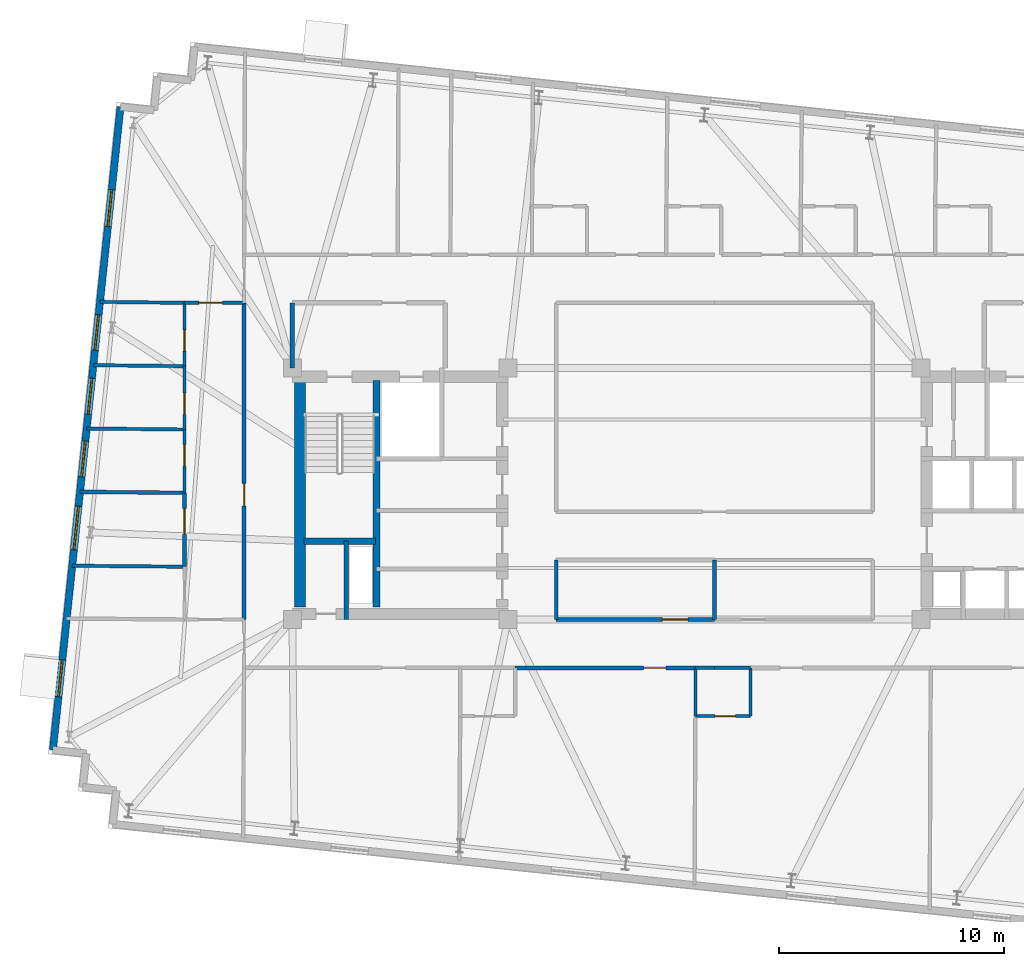
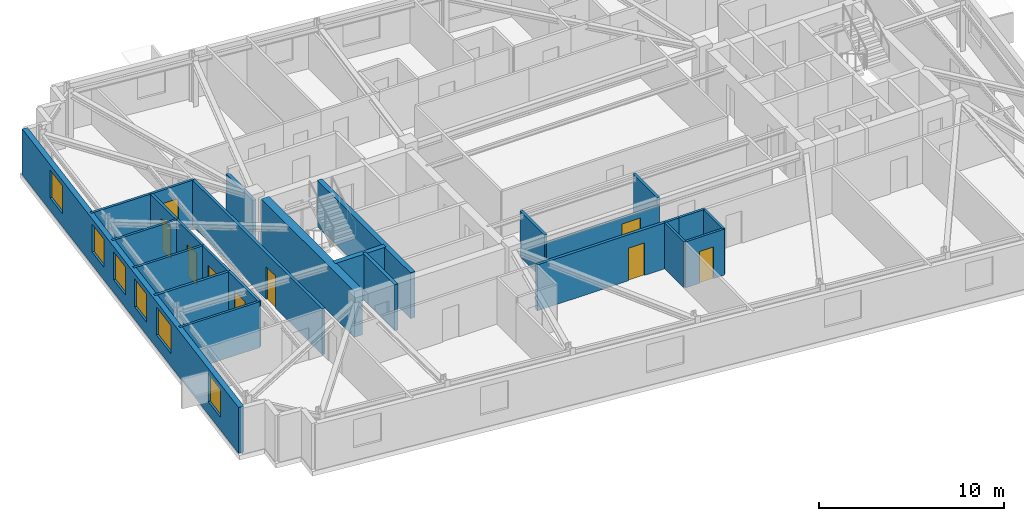
# One storey, part 6 of 12: 26 walls, 9 doors, 6 windows, 15 openings.
"""IFC4 building model written with IfcOpenShell, lengths in metres."""

import ifcopenshell
import ifcopenshell.guid

model = None  # the IFC model being written
_history = None  # IfcOwnerHistory: only IFC2X3 demands one
_inside = {}  # id of a spatial element -> (the spatial element, [elements in it])
_under = {}  # id of a project, library or spatial element -> (it, [spatial elements below it])
_declared = {}  # id of a project -> (the project, [libraries it declares])
_typed = {}  # id of a type object -> (the type object, [elements of that type])
_made_of = {}  # id of a material, layer set ... -> (it, [elements and type objects made of it])


def new_model(schema):
    """Start an empty IFC model of exactly this schema.

    Asked for "IFC4X3", IfcOpenShell would pick the latest addendum, in which some entities
    have other attributes; the version numbers below select the first issue.
    IFC2X3 requires an IfcOwnerHistory on every rooted entity: one is made here for all.
    """
    global model, _history
    if schema == "IFC4X3":
        model = ifcopenshell.file(schema_version=(4, 3, 0, 0))
    else:
        model = ifcopenshell.file(schema=schema)
    _inside.clear()
    _under.clear()
    _declared.clear()
    _typed.clear()
    _made_of.clear()
    _history = None
    if model.schema == "IFC2X3":
        org = make("IfcOrganization", Name="unknown")
        user = make(
            "IfcPersonAndOrganization",
            ThePerson=make("IfcPerson", FamilyName="unknown"),
            TheOrganization=org,
        )
        app = make(
            "IfcApplication",
            ApplicationDeveloper=org,
            Version="unknown",
            ApplicationFullName="unknown",
            ApplicationIdentifier="unknown",
        )
        _history = make(
            "IfcOwnerHistory",
            OwningUser=user,
            OwningApplication=app,
            ChangeAction="ADDED",
            CreationDate=0,
        )
    return model


def make(cls, **values):
    """One entity of the class cls with the attributes given. An attribute that is None is left unset."""
    return model.create_entity(
        cls, **{name: value for name, value in values.items() if value is not None}
    )


def rooted(cls, **values):
    """An entity with a GlobalId (a new one), such as an element, a storey or a relation."""
    return make(cls, GlobalId=ifcopenshell.guid.new(), OwnerHistory=_history, **values)


def si_unit(unit_type, name, prefix=None):
    """IfcSIUnit, for example si_unit("LENGTHUNIT", "METRE", prefix="MILLI")."""
    return make("IfcSIUnit", UnitType=unit_type, Prefix=prefix, Name=name)


def assignment(units):
    """IfcUnitAssignment: the units of a project."""
    return None if units is None else make("IfcUnitAssignment", Units=units)


def point(xyz):
    """IfcCartesianPoint."""
    return None if xyz is None else make("IfcCartesianPoint", Coordinates=xyz)


def direction(xyz):
    """IfcDirection."""
    return None if xyz is None else make("IfcDirection", DirectionRatios=xyz)


def frame(location, z_axis=None, x_axis=None):
    """IfcAxis2Placement3D, a coordinate frame: its origin and axes. An axis left out is left unset."""
    return make(
        "IfcAxis2Placement3D",
        Location=point(location),
        Axis=direction(z_axis),
        RefDirection=direction(x_axis),
    )


def frame_2d(location, x_axis=None):
    """IfcAxis2Placement2D, a coordinate frame in the plane: its origin and x axis."""
    return make(
        "IfcAxis2Placement2D", Location=point(location), RefDirection=direction(x_axis)
    )


def origin():
    """The frame at (0, 0, 0) with its axes left unset."""
    return frame((0.0, 0.0, 0.0))


def place(relative_to, where):
    """IfcLocalPlacement: puts the frame where relative to a parent placement (None: the world)."""
    return make(
        "IfcLocalPlacement", PlacementRelTo=relative_to, RelativePlacement=where
    )


def context(
    kind, dimensions, precision=None, world=None, true_north=None, identifier=None
):
    """IfcGeometricRepresentationContext, for example the 3D "Model" context."""
    return make(
        "IfcGeometricRepresentationContext",
        ContextIdentifier=identifier,
        ContextType=kind,
        CoordinateSpaceDimension=dimensions,
        Precision=precision,
        WorldCoordinateSystem=world,
        TrueNorth=true_north,
    )


def subcontext(parent, identifier, kind, view, scale=None):
    """IfcGeometricRepresentationSubContext, for example "Body" below "Model"."""
    return make(
        "IfcGeometricRepresentationSubContext",
        ContextIdentifier=identifier,
        ContextType=kind,
        ParentContext=parent,
        TargetScale=scale,
        TargetView=view,
    )


def project(units=None, contexts=None):
    """IfcProject with its units and contexts."""
    return rooted(
        "IfcProject",
        Name="project",
        RepresentationContexts=contexts,
        UnitsInContext=assignment(units),
    )


def spatial(cls, under=None, at=None, **own):
    """A site, building, storey or space (cls), placed at a placement, below another one or the project."""
    s = rooted(cls, ObjectPlacement=at, **own)
    if under is not None:
        _under.setdefault(under.id(), (under, []))[1].append(s)
    return s


def profile(cls, at=None, kind="AREA", **sizes):
    """A parametric profile (cls). Its sizes go by their IFC names, for example OverallWidth=200.0."""
    return make(cls, ProfileType=kind, Position=at, **sizes)


def rectangle(**sizes):
    """IfcRectangleProfileDef."""
    return profile("IfcRectangleProfileDef", **sizes)


def extrude(swept, where, along, depth):
    """IfcExtrudedAreaSolid: the profile swept, set in the frame where, extruded along a direction by depth."""
    return make(
        "IfcExtrudedAreaSolid",
        SweptArea=swept,
        Position=where,
        ExtrudedDirection=direction(along),
        Depth=depth,
    )


def shape(context_of_items, identifier, shape_type, items):
    """IfcShapeRepresentation: the items that make up one representation, for example the "Body"."""
    return make(
        "IfcShapeRepresentation",
        ContextOfItems=context_of_items,
        RepresentationIdentifier=identifier,
        RepresentationType=shape_type,
        Items=items,
    )


def material(Name=None, Category=None):
    """IfcMaterial."""
    return make("IfcMaterial", Name=Name, Category=Category)


def layer(
    of_material, thickness, ventilated=None, Name=None, Category=None, Priority=None
):
    """IfcMaterialLayer: one layer of a wall or slab, of a material (None: an air gap)."""
    return make(
        "IfcMaterialLayer",
        Material=of_material,
        LayerThickness=thickness,
        IsVentilated=ventilated,
        Name=Name,
        Category=Category,
        Priority=Priority,
    )


def layer_set(layers, Name=None):
    """IfcMaterialLayerSet."""
    return make("IfcMaterialLayerSet", MaterialLayers=layers, LayerSetName=Name)


def made_of(thing, what):
    """Note that an element or type object is made of a material, layer set ...; save() writes the relation."""
    if what is not None:
        _made_of.setdefault(what.id(), (what, []))[1].append(thing)
    return thing


def type_object(cls, material=None, **own):
    """A type object (cls), such as IfcWallType, which elements share."""
    return made_of(rooted(cls, **own), material)


def element(
    cls,
    number,
    at=None,
    inside=None,
    cuts=None,
    type_object=None,
    material=None,
    context=None,
    identifier="Body",
    shape_type=None,
    held_by="IfcProductDefinitionShape",
    body=None,
    shapes=None,
    **own,
):
    """One element of the class cls, such as IfcWall. Its Tag is "e" and its number.

    at: its placement. inside: the storey or other place that contains it. cuts: it is an
    opening in that element (IfcRelVoidsElement). A single representation is given by context,
    identifier, shape_type and body (its items); several are given by shapes. held_by: the class
    of the entity that holds the representations. save() writes the other relations.
    """
    e = rooted(cls, Tag="e%d" % number, ObjectPlacement=at, **own)
    if body is not None:
        shapes = [shape(context, identifier, shape_type, body)]
    if shapes is not None:
        e.Representation = make(held_by, Representations=shapes)
    if inside is not None:
        _inside.setdefault(inside.id(), (inside, []))[1].append(e)
    if cuts is not None:
        rooted(
            "IfcRelVoidsElement", RelatingBuildingElement=cuts, RelatedOpeningElement=e
        )
    if type_object is not None:
        _typed.setdefault(type_object.id(), (type_object, []))[1].append(e)
    return made_of(e, material)


def fill(opening, filler):
    """IfcRelFillsElement: the door or window that sits in an opening."""
    return rooted(
        "IfcRelFillsElement",
        RelatingOpeningElement=opening,
        RelatedBuildingElement=filler,
    )


def aggregate(whole, parts):
    """IfcRelAggregates: a whole, such as a stair, and the parts it consists of."""
    return rooted("IfcRelAggregates", RelatingObject=whole, RelatedObjects=parts)


def save(model, path):
    """Write the relations noted so far, then the file.

    IfcRelAggregates (storeys below a building ...), IfcRelContainedInSpatialStructure (elements
    in a storey), IfcRelDefinesByType, IfcRelAssociatesMaterial and IfcRelDeclares: one each for
    every whole, place, type object, material and project.
    """
    for whole, parts in _under.values():
        aggregate(whole, parts)
    for where, things in _inside.values():
        rooted(
            "IfcRelContainedInSpatialStructure",
            RelatedElements=things,
            RelatingStructure=where,
        )
    for kind, things in _typed.values():
        rooted("IfcRelDefinesByType", RelatedObjects=things, RelatingType=kind)
    for what, things in _made_of.values():
        rooted("IfcRelAssociatesMaterial", RelatedObjects=things, RelatingMaterial=what)
    for by, libraries in _declared.values():
        rooted("IfcRelDeclares", RelatingContext=by, RelatedDefinitions=libraries)
    model.write(path)


model = new_model("IFC4")

# Units and contexts
model_context = context("Model", 3, precision=1e-05, world=origin(), true_north=direction((0.0, 1.0)))
body_context = subcontext(model_context, "Body", "Model", "MODEL_VIEW")
ifc_project = project(units=[si_unit("LENGTHUNIT", "METRE"), si_unit("AREAUNIT", "SQUARE_METRE"), si_unit("VOLUMEUNIT", "CUBIC_METRE"), si_unit("PLANEANGLEUNIT", "RADIAN"), si_unit("MASSUNIT", "GRAM", prefix="KILO")], contexts=[model_context])

# Site, building, storey
site_placement = place(None, origin())
site = spatial("IfcSite", under=ifc_project, at=site_placement, CompositionType="ELEMENT")
building_placement = place(site_placement, origin())
building = spatial("IfcBuilding", under=site, at=building_placement, Name="Qobustan Lattice House", CompositionType="ELEMENT")
storey_placement = place(building_placement, frame((0.0, 0.0, 183.0)))
storey = spatial("IfcBuildingStorey", under=building, at=storey_placement, Name="L51", CompositionType="ELEMENT", Elevation=183.0)

# Walls
ifc_material_1 = material(Name="Concrete C50/60", Category="concrete")
ifc_layer_1 = layer(ifc_material_1, 0.5)
ifc_layer_set_1 = layer_set([ifc_layer_1], Name="Concrete C50/60")
wall_type_1 = type_object("IfcWallType", Name="WAL-CORE-500", PredefinedType="SHEAR", material=ifc_layer_set_1)
wall_1_placement = place(storey_placement, frame((-18.4599609375, -5.050048828125, 0.0), z_axis=(0.0, 0.0, 1.0), x_axis=(0.0, 1.0, 0.0)))
element("IfcWall", 1, at=wall_1_placement, inside=storey, type_object=wall_type_1, Name="L51 split-core shear wall CW-W", PredefinedType="SHEAR", context=body_context, shape_type="SweptSolid", body=[
    extrude(rectangle(XDim=10.10009765625, YDim=0.5, at=frame_2d((5.050048828125, 0.0))), origin(), (0.0, 0.0, 1.0), 3.0400390625),
])
ifc_material_2 = material(Name="Concrete C50/60", Category="concrete")
ifc_layer_2 = layer(ifc_material_2, 0.280029296875)
ifc_layer_set_2 = layer_set([ifc_layer_2], Name="Concrete C50/60")
wall_type_2 = type_object("IfcWallType", Name="WAL-CORE-SPINE-280", PredefinedType="SHEAR", material=ifc_layer_set_2)
wall_2_placement = place(storey_placement, frame((-15.050048828125, -5.050048828125, 0.0), z_axis=(0.0, 0.0, 1.0), x_axis=(0.0, 1.0, 0.0)))
element("IfcWall", 2, at=wall_2_placement, inside=storey, type_object=wall_type_2, Name="L51 split-core shear wall CW-M", PredefinedType="SHEAR", context=body_context, shape_type="SweptSolid", body=[
    extrude(rectangle(XDim=10.10009765625, YDim=0.300048828125, at=frame_2d((5.050048828125, 0.0))), origin(), (0.0, 0.0, 1.0), 3.0400390625),
])
wall_3_placement = place(storey_placement, frame((-18.280029296875, -2.110107421875, 0.0), z_axis=(0.0, 0.0, 1.0), x_axis=(1.0, 0.0, 0.0)))
element("IfcWall", 3, at=wall_3_placement, inside=storey, type_object=wall_type_2, Name="L51 split-core shear wall CW-ST", PredefinedType="SHEAR", context=body_context, shape_type="SweptSolid", body=[
    extrude(rectangle(XDim=3.179931640625, YDim=0.300048828125, at=frame_2d((1.58984375, 0.0))), origin(), (0.0, 0.0, 1.0), 3.0400390625),
])

# Wall, openings, windows
ifc_material_3 = material(Name="Precast concrete C40/50", Category="concrete")
ifc_layer_3 = layer(ifc_material_3, 0.320068359375)
ifc_layer_set_3 = layer_set([ifc_layer_3], Name="Precast concrete C40/50")
wall_type_3 = type_object("IfcWallType", Name="WAL-EXT-STONE-320", PredefinedType="SOLIDWALL", material=ifc_layer_set_3)
wall_4_placement = place(storey_placement, frame((-29.46337890625, -11.413818359375, 0.0), z_axis=(0.0, 0.0, 1.0), x_axis=(0.104530779244, 0.994521651947, 0.0)))
wall_4 = element("IfcWall", 4, at=wall_4_placement, inside=storey, type_object=wall_type_3, Name="L51 exterior limestone-clad wall 5", PredefinedType="SOLIDWALL", context=body_context, shape_type="SweptSolid", body=[
    extrude(rectangle(XDim=28.800048828125, YDim=0.320068359375, at=frame_2d((14.39990234375, 0.0))), origin(), (0.0, 0.0, 1.0), 3.0400390625),
])
opening_1_placement = place(wall_4_placement, frame((2.3837890625, 0.0, 0.85009765625)))
opening_1 = element("IfcOpeningElement", 5, at=opening_1_placement, cuts=wall_4, Name="Opening WN-09", PredefinedType="OPENING", context=body_context, shape_type="SweptSolid", body=[
    extrude(rectangle(XDim=1.64990234375, YDim=1.85009765625, at=frame_2d((0.824951171875, 0.925048828125))), frame((0.0, 0.169921875, 0.0), z_axis=(0.0, -1.0, 0.0), x_axis=(1.0, 0.0, 0.0)), (0.0, 0.0, 1.0), 0.340087890625),
])
opening_2_placement = place(wall_4_placement, frame((8.97265625, 0.0, 0.85009765625)))
opening_2 = element("IfcOpeningElement", 6, at=opening_2_placement, cuts=wall_4, Name="Opening WN-08", PredefinedType="OPENING", context=body_context, shape_type="SweptSolid", body=[
    extrude(rectangle(XDim=1.949951171875, YDim=1.85009765625, at=frame_2d((0.97509765625, 0.925048828125))), frame((0.0, 0.169921875, 0.0), z_axis=(0.0, -1.0, 0.0), x_axis=(1.0, 0.0, 0.0)), (0.0, 0.0, 1.0), 0.340087890625),
])
opening_3_placement = place(wall_4_placement, frame((12.236083984375, 0.0, 0.85009765625)))
opening_3 = element("IfcOpeningElement", 7, at=opening_3_placement, cuts=wall_4, Name="Opening WN-13", PredefinedType="OPENING", context=body_context, shape_type="SweptSolid", body=[
    extrude(rectangle(XDim=1.60009765625, YDim=1.85009765625, at=frame_2d((0.800048828125, 0.925048828125))), frame((0.0, 0.169921875, 0.0), z_axis=(0.0, -1.0, 0.0), x_axis=(1.0, 0.0, 0.0)), (0.0, 0.0, 1.0), 0.340087890625),
])
opening_4_placement = place(wall_4_placement, frame((15.0439453125, 0.0, 0.85009765625)))
opening_4 = element("IfcOpeningElement", 8, at=opening_4_placement, cuts=wall_4, Name="Opening WN-13", PredefinedType="OPENING", context=body_context, shape_type="SweptSolid", body=[
    extrude(rectangle(XDim=1.60009765625, YDim=1.85009765625, at=frame_2d((0.800048828125, 0.925048828125))), frame((0.0, 0.169921875, 0.0), z_axis=(0.0, -1.0, 0.0), x_axis=(1.0, 0.0, 0.0)), (0.0, 0.0, 1.0), 0.340087890625),
])
opening_5_placement = place(wall_4_placement, frame((17.891845703125, 0.0, 0.85009765625)))
opening_5 = element("IfcOpeningElement", 9, at=opening_5_placement, cuts=wall_4, Name="Opening WN-13", PredefinedType="OPENING", context=body_context, shape_type="SweptSolid", body=[
    extrude(rectangle(XDim=1.60009765625, YDim=1.85009765625, at=frame_2d((0.800048828125, 0.925048828125))), frame((0.0, 0.169921875, 0.0), z_axis=(0.0, -1.0, 0.0), x_axis=(1.0, 0.0, 0.0)), (0.0, 0.0, 1.0), 0.340087890625),
])
opening_6_placement = place(wall_4_placement, frame((23.4423828125, 0.0, 0.85009765625)))
opening_6 = element("IfcOpeningElement", 10, at=opening_6_placement, cuts=wall_4, Name="Opening WN-09", PredefinedType="OPENING", context=body_context, shape_type="SweptSolid", body=[
    extrude(rectangle(XDim=1.64990234375, YDim=1.85009765625, at=frame_2d((0.824951171875, 0.925048828125))), frame((0.0, 0.169921875, 0.0), z_axis=(0.0, -1.0, 0.0), x_axis=(1.0, 0.0, 0.0)), (0.0, 0.0, 1.0), 0.340087890625),
])
ifc_material_4 = material(Name="Double-glazed low-E aluminium window", Category="aluminium")
window_type_1 = type_object("IfcWindowType", Name="WIN-BED-1600x1850", PartitioningType="SINGLE_PANEL", PredefinedType="WINDOW", material=ifc_material_4)
window_1_placement = place(opening_3_placement, origin())
window_1 = element("IfcWindow", 11, at=window_1_placement, inside=storey, type_object=window_type_1, Name="L51 Cluster bedroom L51W1 window", OverallHeight=1.85009765625, OverallWidth=1.60009765625, PartitioningType="SINGLE_PANEL", PredefinedType="WINDOW", context=body_context, shape_type="SweptSolid", body=[
    extrude(rectangle(XDim=1.60009765625, YDim=1.85009765625, at=frame_2d((0.800048828125, 0.925048828125))), frame((0.0, 0.030029296875, 0.0), z_axis=(0.0, -1.0, 0.0), x_axis=(1.0, 0.0, 0.0)), (0.0, 0.0, 1.0), 0.06005859375),
])
fill(opening_3, window_1)
window_2_placement = place(opening_4_placement, origin())
window_2 = element("IfcWindow", 12, at=window_2_placement, inside=storey, type_object=window_type_1, Name="L51 Cluster bedroom L51W2 window", OverallHeight=1.85009765625, OverallWidth=1.60009765625, PartitioningType="SINGLE_PANEL", PredefinedType="WINDOW", context=body_context, shape_type="SweptSolid", body=[
    extrude(rectangle(XDim=1.60009765625, YDim=1.85009765625, at=frame_2d((0.800048828125, 0.925048828125))), frame((0.0, 0.030029296875, 0.0), z_axis=(0.0, -1.0, 0.0), x_axis=(1.0, 0.0, 0.0)), (0.0, 0.0, 1.0), 0.06005859375),
])
fill(opening_4, window_2)
window_3_placement = place(opening_5_placement, origin())
window_3 = element("IfcWindow", 13, at=window_3_placement, inside=storey, type_object=window_type_1, Name="L51 Cluster bedroom L51W3 window", OverallHeight=1.85009765625, OverallWidth=1.60009765625, PartitioningType="SINGLE_PANEL", PredefinedType="WINDOW", context=body_context, shape_type="SweptSolid", body=[
    extrude(rectangle(XDim=1.60009765625, YDim=1.85009765625, at=frame_2d((0.800048828125, 0.925048828125))), frame((0.0, 0.030029296875, 0.0), z_axis=(0.0, -1.0, 0.0), x_axis=(1.0, 0.0, 0.0)), (0.0, 0.0, 1.0), 0.06005859375),
])
fill(opening_5, window_3)
ifc_material_5 = material(Name="Double-glazed low-E aluminium window", Category="aluminium")
window_type_2 = type_object("IfcWindowType", Name="WIN-KIT-1950x1850", PartitioningType="SINGLE_PANEL", PredefinedType="WINDOW", material=ifc_material_5)
window_4_placement = place(opening_2_placement, origin())
window_4 = element("IfcWindow", 14, at=window_4_placement, inside=storey, type_object=window_type_2, Name="L51 Shared kitchen L51W window", OverallHeight=1.85009765625, OverallWidth=1.949951171875, PartitioningType="SINGLE_PANEL", PredefinedType="WINDOW", context=body_context, shape_type="SweptSolid", body=[
    extrude(rectangle(XDim=1.949951171875, YDim=1.85009765625, at=frame_2d((0.97509765625, 0.925048828125))), frame((0.0, 0.030029296875, 0.0), z_axis=(0.0, -1.0, 0.0), x_axis=(1.0, 0.0, 0.0)), (0.0, 0.0, 1.0), 0.06005859375),
])
fill(opening_2, window_4)
ifc_material_6 = material(Name="Double-glazed low-E aluminium window", Category="aluminium")
window_type_3 = type_object("IfcWindowType", Name="WIN-STU-1650x1850", PartitioningType="SINGLE_PANEL", PredefinedType="WINDOW", material=ifc_material_6)
window_5_placement = place(opening_1_placement, origin())
window_5 = element("IfcWindow", 15, at=window_5_placement, inside=storey, type_object=window_type_3, Name="L51 Reading study room L51WS window", OverallHeight=1.85009765625, OverallWidth=1.64990234375, PartitioningType="SINGLE_PANEL", PredefinedType="WINDOW", context=body_context, shape_type="SweptSolid", body=[
    extrude(rectangle(XDim=1.64990234375, YDim=1.85009765625, at=frame_2d((0.824951171875, 0.925048828125))), frame((0.0, 0.030029296875, 0.0), z_axis=(0.0, -1.0, 0.0), x_axis=(1.0, 0.0, 0.0)), (0.0, 0.0, 1.0), 0.06005859375),
])
fill(opening_1, window_5)
window_6_placement = place(opening_6_placement, origin())
window_6 = element("IfcWindow", 16, at=window_6_placement, inside=storey, type_object=window_type_3, Name="L51 Reading study room L51WN window", OverallHeight=1.85009765625, OverallWidth=1.64990234375, PartitioningType="SINGLE_PANEL", PredefinedType="WINDOW", context=body_context, shape_type="SweptSolid", body=[
    extrude(rectangle(XDim=1.64990234375, YDim=1.85009765625, at=frame_2d((0.824951171875, 0.925048828125))), frame((0.0, 0.030029296875, 0.0), z_axis=(0.0, -1.0, 0.0), x_axis=(1.0, 0.0, 0.0)), (0.0, 0.0, 1.0), 0.06005859375),
])
fill(opening_6, window_6)

# Wall, opening, door
ifc_material_7 = material(Name="Gypsum fireboard acoustic partition", Category="gypsum")
ifc_layer_4 = layer(ifc_material_7, 0.179931640625)
ifc_layer_set_4 = layer_set([ifc_layer_4], Name="Gypsum fireboard acoustic partition")
wall_type_4 = type_object("IfcWallType", Name="WAL-FIRE-180", PredefinedType="PARTITIONING", material=ifc_layer_set_4)
wall_5_placement = place(storey_placement, frame((-0.85009765625, -7.75, 0.0), z_axis=(0.0, 0.0, 1.0), x_axis=(-1.0, 0.0, 0.0)))
wall_5 = element("IfcWall", 17, at=wall_5_placement, inside=storey, type_object=wall_type_4, Name="L51 interior partition 48", PredefinedType="PARTITIONING", context=body_context, shape_type="SweptSolid", body=[
    extrude(rectangle(XDim=8.02490234375, YDim=0.179931640625, at=frame_2d((4.012451171875, 0.0))), origin(), (0.0, 0.0, 1.0), 3.0400390625),
])
opening_7_placement = place(wall_5_placement, frame((1.31298828125, 0.0, 0.0)))
opening_7 = element("IfcOpeningElement", 18, at=opening_7_placement, cuts=wall_5, Name="Opening FD-02", PredefinedType="OPENING", context=body_context, shape_type="SweptSolid", body=[
    extrude(rectangle(XDim=1.0, YDim=2.14990234375, at=frame_2d((0.5, 1.074951171875))), frame((0.0, 0.099853515625, 0.0), z_axis=(0.0, -1.0, 0.0), x_axis=(1.0, 0.0, 0.0)), (0.0, 0.0, 1.0), 0.199951171875),
])
ifc_material_8 = material(Name="Persian walnut timber and steel frame door", Category="steel")
door_type_1 = type_object("IfcDoorType", Name="DOR-UNIT-FD-1000x2150", OperationType="NOTDEFINED", PredefinedType="DOOR", material=ifc_material_8)
door_1_placement = place(opening_7_placement, origin())
door_1 = element("IfcDoor", 19, at=door_1_placement, inside=storey, type_object=door_type_1, Name="L51 South-west floor corridor to Kitchenette and studio apartment L51-S2 door", OperationType="SINGLE_SWING_LEFT", OverallHeight=2.14990234375, OverallWidth=1.0, PredefinedType="DOOR", context=body_context, shape_type="SweptSolid", body=[
    extrude(rectangle(XDim=1.0, YDim=2.14990234375, at=frame_2d((0.5, 1.074951171875))), frame((0.0, 0.02490234375, 0.0), z_axis=(0.0, -1.0, 0.0), x_axis=(1.0, 0.0, 0.0)), (0.0, 0.0, 1.0), 0.050048828125),
])
fill(opening_7, door_1)

wall_6_placement = place(storey_placement, frame((-20.949951171875, -5.60009765625, 0.0), z_axis=(0.0, 0.0, 1.0), x_axis=(0.0, 1.0, 0.0)))
wall_6 = element("IfcWall", 20, at=wall_6_placement, inside=storey, type_object=wall_type_4, Name="L51 interior partition 57", PredefinedType="PARTITIONING", context=body_context, shape_type="SweptSolid", body=[
    extrude(rectangle(XDim=14.10009765625, YDim=0.179931640625, at=frame_2d((7.050048828125, 0.0))), origin(), (0.0, 0.0, 1.0), 3.0400390625),
])
opening_8_placement = place(wall_6_placement, frame((5.0576171875, 0.0, 0.0)))
opening_8 = element("IfcOpeningElement", 21, at=opening_8_placement, cuts=wall_6, Name="Opening FD-02", PredefinedType="OPENING", context=body_context, shape_type="SweptSolid", body=[
    extrude(rectangle(XDim=1.0, YDim=2.14990234375, at=frame_2d((0.5, 1.074951171875))), frame((0.0, 0.099853515625, 0.0), z_axis=(0.0, -1.0, 0.0), x_axis=(1.0, 0.0, 0.0)), (0.0, 0.0, 1.0), 0.199951171875),
])
door_2_placement = place(opening_8_placement, origin())
door_2 = element("IfcDoor", 22, at=door_2_placement, inside=storey, type_object=door_type_1, Name="L51 West wing spine gallery to Residence entrance hall L51W door", OperationType="SINGLE_SWING_LEFT", OverallHeight=2.14990234375, OverallWidth=1.0, PredefinedType="DOOR", context=body_context, shape_type="SweptSolid", body=[
    extrude(rectangle(XDim=1.0, YDim=2.14990234375, at=frame_2d((0.5, 1.074951171875))), frame((0.0, 0.02490234375, 0.0), z_axis=(0.0, -1.0, 0.0), x_axis=(1.0, 0.0, 0.0)), (0.0, 0.0, 1.0), 0.050048828125),
])
fill(opening_8, door_2)

ifc_material_9 = material(Name="Acoustic twin-stud gypsum partition", Category="gypsum")
ifc_layer_5 = layer(ifc_material_9, 0.14990234375)
ifc_layer_set_5 = layer_set([ifc_layer_5], Name="Acoustic twin-stud gypsum partition")
wall_type_5 = type_object("IfcWallType", Name="WAL-PART-150", PredefinedType="PARTITIONING", material=ifc_layer_set_5)
wall_7_placement = place(storey_placement, frame((-23.60009765625, 8.5, 0.0), z_axis=(0.0, 0.0, 1.0), x_axis=(1.0, 0.0, 0.0)))
wall_7 = element("IfcWall", 23, at=wall_7_placement, inside=storey, type_object=wall_type_5, Name="L51 interior partition 66", PredefinedType="PARTITIONING", context=body_context, shape_type="SweptSolid", body=[
    extrude(rectangle(XDim=2.650146484375, YDim=0.14990234375, at=frame_2d((1.3251953125, 0.0))), origin(), (0.0, 0.0, 1.0), 3.0400390625),
])
opening_9_placement = place(wall_7_placement, frame((0.635009765625, 0.0, 0.0)))
opening_9 = element("IfcOpeningElement", 24, at=opening_9_placement, cuts=wall_7, Name="Opening ID-02", PredefinedType="OPENING", context=body_context, shape_type="SweptSolid", body=[
    extrude(rectangle(XDim=1.050048828125, YDim=2.14990234375, at=frame_2d((0.52490234375, 1.074951171875))), frame((0.0, 0.0849609375, 0.0), z_axis=(0.0, -1.0, 0.0), x_axis=(1.0, 0.0, 0.0)), (0.0, 0.0, 1.0), 0.169921875),
])
ifc_material_10 = material(Name="Persian walnut timber and steel frame door", Category="steel")
door_type_2 = type_object("IfcDoorType", Name="DOR-STUDY-1050x2150", OperationType="NOTDEFINED", PredefinedType="DOOR", material=ifc_material_10)
door_3_placement = place(opening_9_placement, origin())
door_3 = element("IfcDoor", 25, at=door_3_placement, inside=storey, type_object=door_type_2, Name="L51 Residence entrance hall L51W to Reading study room L51WN door", OperationType="SINGLE_SWING_RIGHT", OverallHeight=2.14990234375, OverallWidth=1.050048828125, PredefinedType="DOOR", context=body_context, shape_type="SweptSolid", body=[
    extrude(rectangle(XDim=1.050048828125, YDim=2.14990234375, at=frame_2d((0.52490234375, 1.074951171875))), frame((0.0, 0.02490234375, 0.0), z_axis=(0.0, -1.0, 0.0), x_axis=(1.0, 0.0, 0.0)), (0.0, 0.0, 1.0), 0.050048828125),
])
fill(opening_9, door_3)

wall_8_placement = place(storey_placement, frame((-23.60009765625, 0.0400390625, 0.0), z_axis=(0.0, 0.0, 1.0), x_axis=(0.0, 1.0, 0.0)))
wall_8 = element("IfcWall", 26, at=wall_8_placement, inside=storey, type_object=wall_type_5, Name="L51 interior partition 70", PredefinedType="PARTITIONING", context=body_context, shape_type="SweptSolid", body=[
    extrude(rectangle(XDim=2.820068359375, YDim=0.14990234375, at=frame_2d((1.41015625, 0.0))), origin(), (0.0, 0.0, 1.0), 3.0400390625),
])
opening_10_placement = place(wall_8_placement, frame((1.201171875, 0.0, 0.0)))
opening_10 = element("IfcOpeningElement", 27, at=opening_10_placement, cuts=wall_8, Name="Opening ID-01", PredefinedType="OPENING", context=body_context, shape_type="SweptSolid", body=[
    extrude(rectangle(XDim=0.949951171875, YDim=2.10009765625, at=frame_2d((0.47509765625, 1.050048828125))), frame((0.0, 0.0849609375, 0.0), z_axis=(0.0, -1.0, 0.0), x_axis=(1.0, 0.0, 0.0)), (0.0, 0.0, 1.0), 0.169921875),
])
ifc_material_11 = material(Name="Persian walnut timber and steel frame door", Category="steel")
door_type_3 = type_object("IfcDoorType", Name="DOR-ROOM-950x2100", OperationType="NOTDEFINED", PredefinedType="DOOR", material=ifc_material_11)
door_4_placement = place(opening_10_placement, origin())
door_4 = element("IfcDoor", 28, at=door_4_placement, inside=storey, type_object=door_type_3, Name="L51 Residence entrance hall L51W to Cluster bedroom L51W1 door", OperationType="SINGLE_SWING_RIGHT", OverallHeight=2.10009765625, OverallWidth=0.949951171875, PredefinedType="DOOR", context=body_context, shape_type="SweptSolid", body=[
    extrude(rectangle(XDim=0.949951171875, YDim=2.10009765625, at=frame_2d((0.47509765625, 1.050048828125))), frame((0.0, 0.02490234375, 0.0), z_axis=(0.0, -1.0, 0.0), x_axis=(1.0, 0.0, 0.0)), (0.0, 0.0, 1.0), 0.050048828125),
])
fill(opening_10, door_4)

wall_9_placement = place(storey_placement, frame((-23.60009765625, 2.860107421875, 0.0), z_axis=(0.0, 0.0, 1.0), x_axis=(0.0, 1.0, 0.0)))
wall_9 = element("IfcWall", 29, at=wall_9_placement, inside=storey, type_object=wall_type_5, Name="L51 interior partition 71", PredefinedType="PARTITIONING", context=body_context, shape_type="SweptSolid", body=[
    extrude(rectangle(XDim=2.81982421875, YDim=0.14990234375, at=frame_2d((1.409912109375, 0.0))), origin(), (0.0, 0.0, 1.0), 3.0400390625),
])
opening_11_placement = place(wall_9_placement, frame((0.668701171875, 0.0, 0.0)))
opening_11 = element("IfcOpeningElement", 30, at=opening_11_placement, cuts=wall_9, Name="Opening ID-01", PredefinedType="OPENING", context=body_context, shape_type="SweptSolid", body=[
    extrude(rectangle(XDim=0.949951171875, YDim=2.10009765625, at=frame_2d((0.47509765625, 1.050048828125))), frame((0.0, 0.0849609375, 0.0), z_axis=(0.0, -1.0, 0.0), x_axis=(1.0, 0.0, 0.0)), (0.0, 0.0, 1.0), 0.169921875),
])
door_5_placement = place(opening_11_placement, origin())
door_5 = element("IfcDoor", 31, at=door_5_placement, inside=storey, type_object=door_type_3, Name="L51 Residence entrance hall L51W to Cluster bedroom L51W2 door", OperationType="SINGLE_SWING_LEFT", OverallHeight=2.10009765625, OverallWidth=0.949951171875, PredefinedType="DOOR", context=body_context, shape_type="SweptSolid", body=[
    extrude(rectangle(XDim=0.949951171875, YDim=2.10009765625, at=frame_2d((0.47509765625, 1.050048828125))), frame((0.0, 0.02490234375, 0.0), z_axis=(0.0, -1.0, 0.0), x_axis=(1.0, 0.0, 0.0)), (0.0, 0.0, 1.0), 0.050048828125),
])
fill(opening_11, door_5)

wall_10_placement = place(storey_placement, frame((-23.60009765625, 5.679931640625, 0.0), z_axis=(0.0, 0.0, 1.0), x_axis=(0.0, 1.0, 0.0)))
wall_10 = element("IfcWall", 32, at=wall_10_placement, inside=storey, type_object=wall_type_5, Name="L51 interior partition 72", PredefinedType="PARTITIONING", context=body_context, shape_type="SweptSolid", body=[
    extrude(rectangle(XDim=2.820068359375, YDim=0.14990234375, at=frame_2d((1.41015625, 0.0))), origin(), (0.0, 0.0, 1.0), 3.0400390625),
])
opening_12_placement = place(wall_10_placement, frame((0.668701171875, 0.0, 0.0)))
opening_12 = element("IfcOpeningElement", 33, at=opening_12_placement, cuts=wall_10, Name="Opening ID-01", PredefinedType="OPENING", context=body_context, shape_type="SweptSolid", body=[
    extrude(rectangle(XDim=0.949951171875, YDim=2.10009765625, at=frame_2d((0.47509765625, 1.050048828125))), frame((0.0, 0.0849609375, 0.0), z_axis=(0.0, -1.0, 0.0), x_axis=(1.0, 0.0, 0.0)), (0.0, 0.0, 1.0), 0.169921875),
])
door_6_placement = place(opening_12_placement, origin())
door_6 = element("IfcDoor", 34, at=door_6_placement, inside=storey, type_object=door_type_3, Name="L51 Residence entrance hall L51W to Cluster bedroom L51W3 door", OperationType="SINGLE_SWING_RIGHT", OverallHeight=2.10009765625, OverallWidth=0.949951171875, PredefinedType="DOOR", context=body_context, shape_type="SweptSolid", body=[
    extrude(rectangle(XDim=0.949951171875, YDim=2.10009765625, at=frame_2d((0.47509765625, 1.050048828125))), frame((0.0, 0.02490234375, 0.0), z_axis=(0.0, -1.0, 0.0), x_axis=(1.0, 0.0, 0.0)), (0.0, 0.0, 1.0), 0.050048828125),
])
fill(opening_12, door_6)

# Walls
wall_11_placement = place(storey_placement, frame((-23.60009765625, 8.5, 0.0), z_axis=(0.0, 0.0, 1.0), x_axis=(-0.999931911052, 0.011669329875, 0.0)))
element("IfcWall", 35, at=wall_11_placement, inside=storey, type_object=wall_type_5, Name="L51 interior partition 73", PredefinedType="PARTITIONING", context=body_context, shape_type="SweptSolid", body=[
    extrude(rectangle(XDim=3.765869140625, YDim=0.14990234375, at=frame_2d((1.8828125, 0.0))), origin(), (0.0, 0.0, 1.0), 3.0400390625),
])
wall_12_placement = place(storey_placement, frame((-27.95849609375, 2.90380859375, 0.0), z_axis=(0.0, 0.0, 1.0), x_axis=(0.999949734551, -0.010026383738, 0.0)))
element("IfcWall", 36, at=wall_12_placement, inside=storey, type_object=wall_type_5, Name="L51 interior partition 79", PredefinedType="PARTITIONING", context=body_context, shape_type="SweptSolid", body=[
    extrude(rectangle(XDim=4.358642578125, YDim=0.14990234375, at=frame_2d((2.17919921875, 0.0))), origin(), (0.0, 0.0, 1.0), 3.0400390625),
])
wall_13_placement = place(storey_placement, frame((-27.662109375, 5.723876953125, 0.0), z_axis=(0.0, 0.0, 1.0), x_axis=(0.999941483997, -0.010817974944, 0.0)))
element("IfcWall", 37, at=wall_13_placement, inside=storey, type_object=wall_type_5, Name="L51 interior partition 80", PredefinedType="PARTITIONING", context=body_context, shape_type="SweptSolid", body=[
    extrude(rectangle(XDim=4.062255859375, YDim=0.14990234375, at=frame_2d((2.03125, 0.0))), origin(), (0.0, 0.0, 1.0), 3.0400390625),
])

# Wall, opening, door
ifc_material_12 = material(Name="High-mass acoustic twin-stud partition", Category="gypsum")
ifc_layer_6 = layer(ifc_material_12, 0.1650390625)
ifc_layer_set_6 = layer_set([ifc_layer_6], Name="High-mass acoustic twin-stud partition")
wall_type_6 = type_object("IfcWallType", Name="WAL-PART-165", PredefinedType="PARTITIONING", material=ifc_layer_set_6)
wall_14_placement = place(storey_placement, frame((-7.050048828125, -5.60009765625, 0.0), z_axis=(0.0, 0.0, 1.0), x_axis=(1.0, 0.0, 0.0)))
wall_14 = element("IfcWall", 38, at=wall_14_placement, inside=storey, type_object=wall_type_6, Name="L51 interior partition 51", PredefinedType="PARTITIONING", context=body_context, shape_type="SweptSolid", body=[
    extrude(rectangle(XDim=7.050048828125, YDim=0.1650390625, at=frame_2d((3.52490234375, 0.0))), origin(), (0.0, 0.0, 1.0), 2.52490234375),
])
opening_13_placement = place(wall_14_placement, frame((4.7275390625, 0.0, 0.0)))
opening_13 = element("IfcOpeningElement", 39, at=opening_13_placement, cuts=wall_14, Name="Opening ID-03", PredefinedType="OPENING", context=body_context, shape_type="SweptSolid", body=[
    extrude(rectangle(XDim=1.14990234375, YDim=2.14990234375, at=frame_2d((0.574951171875, 1.074951171875))), frame((0.0, 0.092529296875, 0.0), z_axis=(0.0, -1.0, 0.0), x_axis=(1.0, 0.0, 0.0)), (0.0, 0.0, 1.0), 0.18505859375),
])
ifc_material_13 = material(Name="Persian walnut timber and steel frame door", Category="steel")
door_type_4 = type_object("IfcDoorType", Name="DOR-KITCH-1150x2150", OperationType="NOTDEFINED", PredefinedType="DOOR", material=ifc_material_13)
door_7_placement = place(opening_13_placement, origin())
door_7 = element("IfcDoor", 40, at=door_7_placement, inside=storey, type_object=door_type_4, Name="L51 South-west floor corridor to Shared dining kitchen door", OperationType="SINGLE_SWING_RIGHT", OverallHeight=2.14990234375, OverallWidth=1.14990234375, PredefinedType="DOOR", context=body_context, shape_type="SweptSolid", body=[
    extrude(rectangle(XDim=1.14990234375, YDim=2.14990234375, at=frame_2d((0.574951171875, 1.074951171875))), frame((0.0, 0.02490234375, 0.0), z_axis=(0.0, -1.0, 0.0), x_axis=(1.0, 0.0, 0.0)), (0.0, 0.0, 1.0), 0.050048828125),
])
fill(opening_13, door_7)

# Wall
wall_15_placement = place(storey_placement, frame((-7.050048828125, -2.949951171875, 0.0), z_axis=(0.0, 0.0, 1.0), x_axis=(0.0, -1.0, 0.0)))
element("IfcWall", 41, at=wall_15_placement, inside=storey, type_object=wall_type_6, Name="L51 interior partition 63", PredefinedType="PARTITIONING", context=body_context, shape_type="SweptSolid", body=[
    extrude(rectangle(XDim=2.650146484375, YDim=0.1650390625, at=frame_2d((1.3251953125, 0.0))), origin(), (0.0, 0.0, 1.0), 3.0400390625),
])

# Wall, opening, door
wall_16_placement = place(storey_placement, frame((-23.60009765625, -3.25, 0.0), z_axis=(0.0, 0.0, 1.0), x_axis=(0.0, 1.0, 0.0)))
wall_16 = element("IfcWall", 42, at=wall_16_placement, inside=storey, type_object=wall_type_6, Name="L51 interior partition 69", PredefinedType="PARTITIONING", context=body_context, shape_type="SweptSolid", body=[
    extrude(rectangle(XDim=3.2900390625, YDim=0.1650390625, at=frame_2d((1.64501953125, 0.0))), origin(), (0.0, 0.0, 1.0), 3.0400390625),
])
opening_14_placement = place(wall_16_placement, frame((1.4375, 0.0, 0.0)))
opening_14 = element("IfcOpeningElement", 43, at=opening_14_placement, cuts=wall_16, Name="Opening ID-03", PredefinedType="OPENING", context=body_context, shape_type="SweptSolid", body=[
    extrude(rectangle(XDim=1.14990234375, YDim=2.14990234375, at=frame_2d((0.574951171875, 1.074951171875))), frame((0.0, 0.092529296875, 0.0), z_axis=(0.0, -1.0, 0.0), x_axis=(1.0, 0.0, 0.0)), (0.0, 0.0, 1.0), 0.18505859375),
])
door_8_placement = place(opening_14_placement, origin())
door_8 = element("IfcDoor", 44, at=door_8_placement, inside=storey, type_object=door_type_4, Name="L51 Residence entrance hall L51W to Shared kitchen L51W door", OperationType="SINGLE_SWING_LEFT", OverallHeight=2.14990234375, OverallWidth=1.14990234375, PredefinedType="DOOR", context=body_context, shape_type="SweptSolid", body=[
    extrude(rectangle(XDim=1.14990234375, YDim=2.14990234375, at=frame_2d((0.574951171875, 1.074951171875))), frame((0.0, 0.02490234375, 0.0), z_axis=(0.0, -1.0, 0.0), x_axis=(1.0, 0.0, 0.0)), (0.0, 0.0, 1.0), 0.050048828125),
])
fill(opening_14, door_8)

# Walls
wall_17_placement = place(storey_placement, frame((-28.2548828125, 0.083984375, 0.0), z_axis=(0.0, 0.0, 1.0), x_axis=(0.999955437781, -0.009440468835, 0.0)))
element("IfcWall", 45, at=wall_17_placement, inside=storey, type_object=wall_type_6, Name="L51 interior partition 78", PredefinedType="PARTITIONING", context=body_context, shape_type="SweptSolid", body=[
    extrude(rectangle(XDim=4.655029296875, YDim=0.1650390625, at=frame_2d((2.32763671875, 0.0))), origin(), (0.0, 0.0, 1.0), 3.0400390625),
])
wall_18_placement = place(storey_placement, frame((0.0, -2.949951171875, 0.0), z_axis=(0.0, 0.0, 1.0), x_axis=(0.0, -1.0, 0.0)))
element("IfcWall", 46, at=wall_18_placement, inside=storey, type_object=wall_type_6, Name="L51 interior partition 110", PredefinedType="PARTITIONING", context=body_context, shape_type="SweptSolid", body=[
    extrude(rectangle(XDim=2.650146484375, YDim=0.1650390625, at=frame_2d((1.3251953125, 0.0))), origin(), (0.0, 0.0, 1.0), 3.0400390625),
])
ifc_material_14 = material(Name="Two-hour gypsum fireboard acoustic partition", Category="gypsum")
ifc_layer_7 = layer(ifc_material_14, 0.199951171875)
ifc_layer_set_7 = layer_set([ifc_layer_7], Name="Two-hour gypsum fireboard acoustic partition")
wall_type_7 = type_object("IfcWallType", Name="WAL-PROT-200", PredefinedType="PARTITIONING", material=ifc_layer_set_7)
wall_19_placement = place(storey_placement, frame((-18.800048828125, 8.5, 0.0), z_axis=(0.0, 0.0, 1.0), x_axis=(0.0, -1.0, 0.0)))
element("IfcWall", 47, at=wall_19_placement, inside=storey, type_object=wall_type_7, Name="L51 interior partition 4", PredefinedType="PARTITIONING", context=body_context, shape_type="SweptSolid", body=[
    extrude(rectangle(XDim=2.89990234375, YDim=0.199951171875, at=frame_2d((1.449951171875, 0.0))), origin(), (0.0, 0.0, 1.0), 2.6650390625),
])
ifc_material_15 = material(Name="Concrete C40/50", Category="concrete")
ifc_layer_8 = layer(ifc_material_15, 0.199951171875)
ifc_layer_set_8 = layer_set([ifc_layer_8], Name="Concrete C40/50")
wall_type_8 = type_object("IfcWallType", Name="WAL-SHAFT-200", PredefinedType="PARTITIONING", material=ifc_layer_set_8)
wall_20_placement = place(storey_placement, frame((-16.39990234375, -5.60009765625, 0.0), z_axis=(0.0, 0.0, 1.0), x_axis=(0.0, 1.0, 0.0)))
element("IfcWall", 48, at=wall_20_placement, inside=storey, type_object=wall_type_8, Name="L51 interior partition 1", PredefinedType="PARTITIONING", context=body_context, shape_type="SweptSolid", body=[
    extrude(rectangle(XDim=3.489990234375, YDim=0.199951171875, at=frame_2d((1.7451171875, 0.0))), origin(), (0.0, 0.0, 1.0), 3.0400390625),
])
ifc_material_16 = material(Name="Moisture-resistant acoustic plumbing wall", Category="gypsum")
ifc_layer_9 = layer(ifc_material_16, 0.14990234375)
ifc_layer_set_9 = layer_set([ifc_layer_9], Name="Moisture-resistant acoustic plumbing wall")
wall_type_9 = type_object("IfcWallType", Name="WAL-WET-150", PredefinedType="PLUMBINGWALL", material=ifc_layer_set_9)
wall_21_placement = place(storey_placement, frame((0.0, -7.75, 0.0), z_axis=(0.0, 0.0, 1.0), x_axis=(-1.0, 0.0, 0.0)))
element("IfcWall", 49, at=wall_21_placement, inside=storey, type_object=wall_type_9, Name="L51 interior partition 50", PredefinedType="PLUMBINGWALL", context=body_context, shape_type="SweptSolid", body=[
    extrude(rectangle(XDim=0.85009765625, YDim=0.14990234375, at=frame_2d((0.425048828125, 0.0))), origin(), (0.0, 0.0, 1.0), 3.0400390625),
])
wall_22_placement = place(storey_placement, frame((1.60009765625, -7.75, 0.0), z_axis=(0.0, 0.0, 1.0), x_axis=(-1.0, 0.0, 0.0)))
element("IfcWall", 50, at=wall_22_placement, inside=storey, type_object=wall_type_9, Name="L51 interior partition 53", PredefinedType="PLUMBINGWALL", context=body_context, shape_type="SweptSolid", body=[
    extrude(rectangle(XDim=1.60009765625, YDim=0.14990234375, at=frame_2d((0.800048828125, 0.0))), origin(), (0.0, 0.0, 1.0), 3.0400390625),
])
wall_23_placement = place(storey_placement, frame((-28.6005859375, -3.2060546875, 0.0), z_axis=(0.0, 0.0, 1.0), x_axis=(0.999961385969, -0.008787864929, 0.0)))
element("IfcWall", 51, at=wall_23_placement, inside=storey, type_object=wall_type_9, Name="L51 interior partition 77", PredefinedType="PLUMBINGWALL", context=body_context, shape_type="SweptSolid", body=[
    extrude(rectangle(XDim=5.000732421875, YDim=0.14990234375, at=frame_2d((2.50048828125, 0.0))), origin(), (0.0, 0.0, 1.0), 3.0400390625),
])
wall_24_placement = place(storey_placement, frame((-0.85009765625, -7.75, 0.0), z_axis=(0.0, 0.0, 1.0), x_axis=(0.0, -1.0, 0.0)))
element("IfcWall", 52, at=wall_24_placement, inside=storey, type_object=wall_type_9, Name="L51 interior partition 105", PredefinedType="PLUMBINGWALL", context=body_context, shape_type="SweptSolid", body=[
    extrude(rectangle(XDim=2.14990234375, YDim=0.14990234375, at=frame_2d((1.074951171875, 0.0))), origin(), (0.0, 0.0, 1.0), 3.0400390625),
])

# Wall, opening, door
wall_25_placement = place(storey_placement, frame((-0.85009765625, -9.89990234375, 0.0), z_axis=(0.0, 0.0, 1.0), x_axis=(1.0, 0.0, 0.0)))
wall_25 = element("IfcWall", 53, at=wall_25_placement, inside=storey, type_object=wall_type_9, Name="L51 interior partition 106", PredefinedType="PLUMBINGWALL", context=body_context, shape_type="SweptSolid", body=[
    extrude(rectangle(XDim=2.4501953125, YDim=0.14990234375, at=frame_2d((1.22509765625, 0.0))), origin(), (0.0, 0.0, 1.0), 3.0400390625),
])
opening_15_placement = place(wall_25_placement, frame((0.87255859375, 0.0, 0.0)))
opening_15 = element("IfcOpeningElement", 54, at=opening_15_placement, cuts=wall_25, Name="Opening WD-01", PredefinedType="OPENING", context=body_context, shape_type="SweptSolid", body=[
    extrude(rectangle(XDim=0.89990234375, YDim=2.10009765625, at=frame_2d((0.449951171875, 1.050048828125))), frame((0.0, 0.0849609375, 0.0), z_axis=(0.0, -1.0, 0.0), x_axis=(1.0, 0.0, 0.0)), (0.0, 0.0, 1.0), 0.169921875),
])
ifc_material_17 = material(Name="Persian walnut timber and steel frame door", Category="steel")
door_type_5 = type_object("IfcDoorType", Name="DOR-WET-900x2100", OperationType="NOTDEFINED", PredefinedType="DOOR", material=ifc_material_17)
door_9_placement = place(opening_15_placement, origin())
door_9 = element("IfcDoor", 55, at=door_9_placement, inside=storey, type_object=door_type_5, Name="L51 Kitchenette and studio apartment L51-S3 to En-suite bathroom L51-S3 door", OperationType="SINGLE_SWING_RIGHT", OverallHeight=2.10009765625, OverallWidth=0.89990234375, PredefinedType="DOOR", context=body_context, shape_type="SweptSolid", body=[
    extrude(rectangle(XDim=0.89990234375, YDim=2.10009765625, at=frame_2d((0.449951171875, 1.050048828125))), frame((0.0, 0.02490234375, 0.0), z_axis=(0.0, -1.0, 0.0), x_axis=(1.0, 0.0, 0.0)), (0.0, 0.0, 1.0), 0.050048828125),
])
fill(opening_15, door_9)

# Wall
wall_26_placement = place(storey_placement, frame((1.60009765625, -9.89990234375, 0.0), z_axis=(0.0, 0.0, 1.0), x_axis=(0.0, 1.0, 0.0)))
element("IfcWall", 56, at=wall_26_placement, inside=storey, type_object=wall_type_9, Name="L51 interior partition 107", PredefinedType="PLUMBINGWALL", context=body_context, shape_type="SweptSolid", body=[
    extrude(rectangle(XDim=2.14990234375, YDim=0.14990234375, at=frame_2d((1.074951171875, 0.0))), origin(), (0.0, 0.0, 1.0), 3.0400390625),
])

save(model, "model.ifc")
